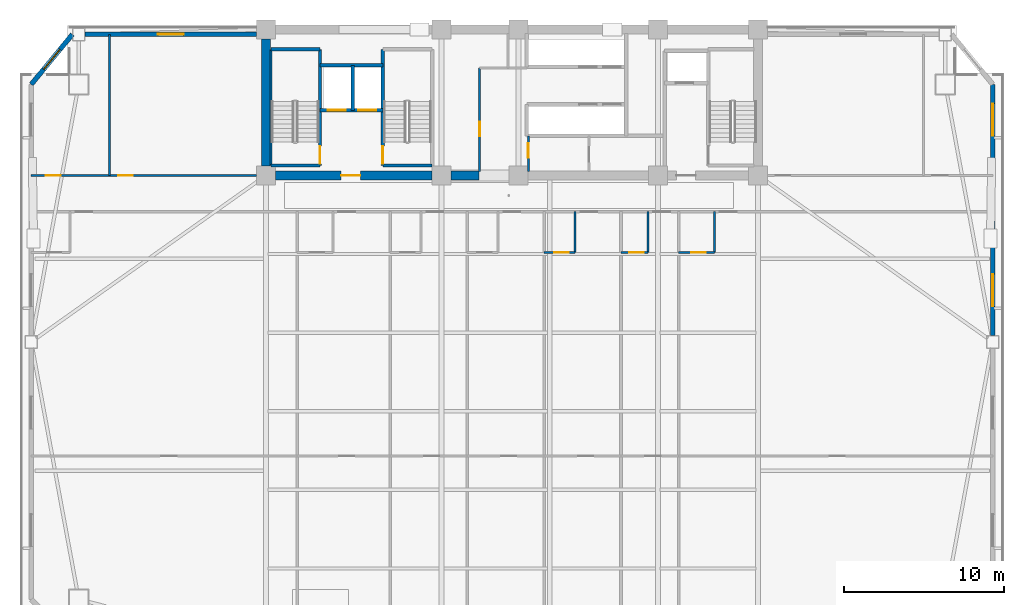
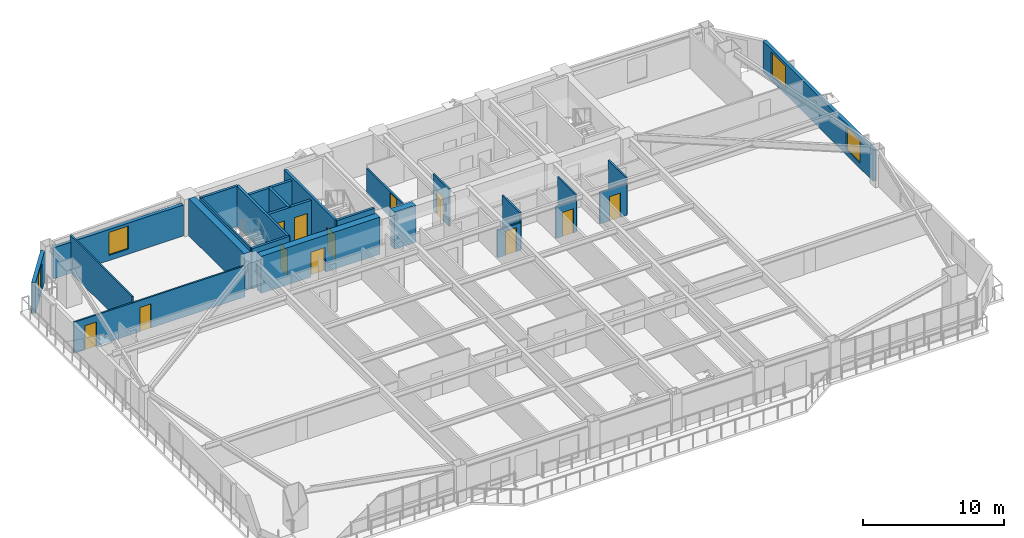
# One storey, part 9 of 17: 25 walls, 12 doors, 4 windows, 16 openings.
"""IFC4 building model written with IfcOpenShell, lengths in metres."""

from ifc_helpers import new_model, si_unit, direction, frame, frame_2d, origin, place, context, subcontext, project, spatial, rectangle, extrude, source, transform, mapped, material, layer, layer_set, type_object, element, fill, save


model = new_model("IFC4")

# Units and contexts
model_context = context("Model", 3, precision=1e-05, world=origin(), true_north=direction((0.0, 1.0)))
body_context = subcontext(model_context, "Body", "Model", "MODEL_VIEW")
ifc_project = project(units=[si_unit("LENGTHUNIT", "METRE"), si_unit("AREAUNIT", "SQUARE_METRE"), si_unit("VOLUMEUNIT", "CUBIC_METRE"), si_unit("PLANEANGLEUNIT", "RADIAN"), si_unit("MASSUNIT", "GRAM", prefix="KILO")], contexts=[model_context])

# Site, building, storey
site_placement = place(None, origin())
site = spatial("IfcSite", under=ifc_project, at=site_placement, CompositionType="ELEMENT")
building_placement = place(site_placement, origin())
building = spatial("IfcBuilding", under=site, at=building_placement, Name="Giltprow Tower", CompositionType="ELEMENT")
storey_placement = place(building_placement, frame((0.0, 0.0, 141.199951171875)))
storey = spatial("IfcBuildingStorey", under=building, at=storey_placement, Name="L34", CompositionType="ELEMENT", Elevation=141.199951171875)

# Wall, opening, window
ifc_material_1 = material(Name="Precast concrete C40", Category="concrete")
ifc_layer_1 = layer(ifc_material_1, 0.300048828125, Name="Precast concrete C40")
ifc_layer_set_1 = layer_set([ifc_layer_1], Name="Precast concrete C40")
wall_type_1 = type_object("IfcWallType", Name="EW-NOTCH-CHAMFER-300", PredefinedType="SOLIDWALL", material=ifc_layer_set_1)
wall_1_placement = place(storey_placement, frame((7.779052734375, 46.25, 0.0), z_axis=(0.0, 0.0, 1.0), x_axis=(-0.63553760815, -0.772069911748, 0.0)))
wall_1 = element("IfcWall", 1, at=wall_1_placement, inside=storey, type_object=wall_type_1, Name="L34 Corner Notch Wall NW", PredefinedType="SOLIDWALL", context=body_context, shape_type="SweptSolid", body=[
    extrude(rectangle(XDim=4.035888671875, YDim=0.300048828125, at=frame_2d((2.01806640625, 0.0))), origin(), (0.0, 0.0, 1.0), 2.699951171875),
])
opening_1_placement = place(wall_1_placement, frame((1.218017578125, 0.0, 0.449951171875)))
opening_1 = element("IfcOpeningElement", 2, at=opening_1_placement, cuts=wall_1, Name="Opening WN17", PredefinedType="OPENING", context=body_context, shape_type="SweptSolid", body=[
    extrude(rectangle(XDim=1.60009765625, YDim=2.0, at=frame_2d((0.800048828125, 1.0))), frame((0.0, 0.159912109375, 0.0), z_axis=(0.0, -1.0, 0.0), x_axis=(1.0, 0.0, 0.0)), (0.0, 0.0, 1.0), 0.320068359375),
])
ifc_material_2 = material(Name="Insulated glass", Category="glass")
window_type_1 = type_object("IfcWindowType", Name="WN-COR-1600x2000", PartitioningType="SINGLE_PANEL", PredefinedType="WINDOW", material=ifc_material_2)
shared_shape_1 = source(origin(), body_context, "Body", "SweptSolid", [
    extrude(rectangle(XDim=1.60009765625, YDim=2.0, at=frame_2d((0.800048828125, 1.0))), frame((0.0, 0.030029296875, 0.0), z_axis=(0.0, -1.0, 0.0), x_axis=(1.0, 0.0, 0.0)), (0.0, 0.0, 1.0), 0.06005859375),
])
window_1_placement = place(opening_1_placement, origin())
window_1 = element("IfcWindow", 3, at=window_1_placement, inside=storey, type_object=window_type_1, Name="L34 Corner Notch Window NW", OverallHeight=2.0, OverallWidth=1.60009765625, PartitioningType="SINGLE_PANEL", PredefinedType="WINDOW", context=body_context, shape_type="MappedRepresentation", body=[
    mapped(shared_shape_1, transform((0.0, 0.0, 0.0), x_axis=(1.0, 0.0, 0.0), y_axis=(0.0, 1.0, 0.0), z_axis=(0.0, 0.0, 1.0), scale=1.0)),
])
fill(opening_1, window_1)

# Wall, openings, windows
ifc_layer_2 = layer(ifc_material_1, 0.280029296875, Name="Precast concrete C40")
ifc_layer_set_2 = layer_set([ifc_layer_2], Name="Precast concrete C40")
wall_type_2 = type_object("IfcWallType", Name="EW-TOW-BRONZE-280", PredefinedType="SOLIDWALL", material=ifc_layer_set_2)
wall_2_placement = place(storey_placement, frame((65.18603515625, 27.471923828125, 0.0), z_axis=(0.0, 0.0, 1.0), x_axis=(0.0, 1.0, 0.0)))
wall_2 = element("IfcWall", 4, at=wall_2_placement, inside=storey, type_object=wall_type_2, Name="L34 E Wing Masonry Wall 2", PredefinedType="SOLIDWALL", context=body_context, shape_type="SweptSolid", body=[
    extrude(rectangle(XDim=15.662109375, YDim=0.280029296875, at=frame_2d((7.8310546875, 0.0))), origin(), (0.0, 0.0, 1.0), 2.699951171875),
])
opening_2_placement = place(wall_2_placement, frame((1.822998046875, 0.0, 0.449951171875)))
opening_2 = element("IfcOpeningElement", 5, at=opening_2_placement, cuts=wall_2, Name="Opening WN21", PredefinedType="OPENING", context=body_context, shape_type="SweptSolid", body=[
    extrude(rectangle(XDim=2.0, YDim=2.0, at=frame_2d((1.0, 1.0))), frame((0.0, 0.14990234375, 0.0), z_axis=(0.0, -1.0, 0.0), x_axis=(1.0, 0.0, 0.0)), (0.0, 0.0, 1.0), 0.300048828125),
])
opening_3_placement = place(wall_2_placement, frame((12.4580078125, 0.0, 0.449951171875)))
opening_3 = element("IfcOpeningElement", 6, at=opening_3_placement, cuts=wall_2, Name="Opening WN21", PredefinedType="OPENING", context=body_context, shape_type="SweptSolid", body=[
    extrude(rectangle(XDim=2.0, YDim=2.0, at=frame_2d((1.0, 1.0))), frame((0.0, 0.14990234375, 0.0), z_axis=(0.0, -1.0, 0.0), x_axis=(1.0, 0.0, 0.0)), (0.0, 0.0, 1.0), 0.300048828125),
])
window_type_2 = type_object("IfcWindowType", Name="WN-HTL-2000x2000", PartitioningType="DOUBLE_PANEL_VERTICAL", PredefinedType="WINDOW", material=ifc_material_2)
shared_shape_2 = source(origin(), body_context, "Body", "SweptSolid", [
    extrude(rectangle(XDim=2.0, YDim=2.0, at=frame_2d((1.0, 1.0))), frame((0.0, 0.030029296875, 0.0), z_axis=(0.0, -1.0, 0.0), x_axis=(1.0, 0.0, 0.0)), (0.0, 0.0, 1.0), 0.06005859375),
])
window_2_placement = place(opening_2_placement, origin())
window_2 = element("IfcWindow", 7, at=window_2_placement, inside=storey, type_object=window_type_2, Name="L34 E Wing Window 2-1", OverallHeight=2.0, OverallWidth=2.0, PartitioningType="SINGLE_PANEL", PredefinedType="WINDOW", context=body_context, shape_type="MappedRepresentation", body=[
    mapped(shared_shape_2, transform((0.0, 0.0, 0.0), x_axis=(1.0, 0.0, 0.0), y_axis=(0.0, 1.0, 0.0), z_axis=(0.0, 0.0, 1.0), scale=1.0)),
])
fill(opening_2, window_2)
window_3_placement = place(opening_3_placement, origin())
window_3 = element("IfcWindow", 8, at=window_3_placement, inside=storey, type_object=window_type_2, Name="L34 E Wing Window 2-2", OverallHeight=2.0, OverallWidth=2.0, PartitioningType="SINGLE_PANEL", PredefinedType="WINDOW", context=body_context, shape_type="MappedRepresentation", body=[
    mapped(shared_shape_2, transform((0.0, 0.0, 0.0), x_axis=(1.0, 0.0, 0.0), y_axis=(0.0, 1.0, 0.0), z_axis=(0.0, 0.0, 1.0), scale=1.0)),
])
fill(opening_3, window_3)

# Wall, opening, window
wall_3_placement = place(storey_placement, frame((8.5791015625, 46.25, 0.0), z_axis=(0.0, 0.0, 1.0), x_axis=(1.0, 0.0, 0.0)))
wall_3 = element("IfcWall", 9, at=wall_3_placement, inside=storey, type_object=wall_type_2, Name="L34 North-West Wing Wall", PredefinedType="SOLIDWALL", context=body_context, shape_type="SweptSolid", body=[
    extrude(rectangle(XDim=10.6708984375, YDim=0.280029296875, at=frame_2d((5.33544921875, 0.0))), origin(), (0.0, 0.0, 1.0), 2.699951171875),
])
opening_4_placement = place(wall_3_placement, frame((4.534912109375, 0.0, 0.449951171875)))
opening_4 = element("IfcOpeningElement", 10, at=opening_4_placement, cuts=wall_3, Name="Opening WN17", PredefinedType="OPENING", context=body_context, shape_type="SweptSolid", body=[
    extrude(rectangle(XDim=1.60009765625, YDim=2.0, at=frame_2d((0.800048828125, 1.0))), frame((0.0, 0.14990234375, 0.0), z_axis=(0.0, -1.0, 0.0), x_axis=(1.0, 0.0, 0.0)), (0.0, 0.0, 1.0), 0.300048828125),
])
window_4_placement = place(opening_4_placement, origin())
window_4 = element("IfcWindow", 11, at=window_4_placement, inside=storey, type_object=window_type_1, Name="L34 North-West Window", OverallHeight=2.0, OverallWidth=1.60009765625, PartitioningType="SINGLE_PANEL", PredefinedType="WINDOW", context=body_context, shape_type="MappedRepresentation", body=[
    mapped(shared_shape_1, transform((0.0, 0.0, 0.0), x_axis=(1.0, 0.0, 0.0), y_axis=(0.0, 1.0, 0.0), z_axis=(0.0, 0.0, 1.0), scale=1.0)),
])
fill(opening_4, window_4)

# Wall, openings, doors
ifc_material_3 = material(Name="Concrete C40", Category="concrete")
ifc_layer_3 = layer(ifc_material_3, 0.219970703125, Name="Concrete C40")
ifc_layer_set_3 = layer_set([ifc_layer_3], Name="Concrete C40")
wall_type_3 = type_object("IfcWallType", Name="IW-SHAFT-220", PredefinedType="SOLIDWALL", material=ifc_layer_set_3)
wall_4_placement = place(storey_placement, frame((23.219970703125, 41.52001953125, 0.0), z_axis=(0.0, 0.0, 1.0), x_axis=(1.0, 0.0, 0.0)))
wall_4 = element("IfcWall", 12, at=wall_4_placement, inside=storey, type_object=wall_type_3, Name="L34 FFL1 and Service Lift Front Wall", PredefinedType="SOLIDWALL", context=body_context, shape_type="SweptSolid", body=[
    extrude(rectangle(XDim=3.919921875, YDim=0.219970703125, at=frame_2d((1.9599609375, 0.0))), origin(), (0.0, 0.0, 1.0), 3.219970703125),
])
opening_5_placement = place(wall_4_placement, frame((0.5, 0.0, 0.0)))
opening_5 = element("IfcOpeningElement", 13, at=opening_5_placement, cuts=wall_4, Name="Opening LD-11", PredefinedType="OPENING", context=body_context, shape_type="SweptSolid", body=[
    extrude(rectangle(XDim=1.10009765625, YDim=2.199951171875, at=frame_2d((0.550048828125, 1.10009765625))), frame((0.0, 0.119873046875, 0.0), z_axis=(0.0, -1.0, 0.0), x_axis=(1.0, 0.0, 0.0)), (0.0, 0.0, 1.0), 0.239990234375),
])
opening_6_placement = place(wall_4_placement, frame((2.39990234375, 0.0, 0.0)))
opening_6 = element("IfcOpeningElement", 14, at=opening_6_placement, cuts=wall_4, Name="Opening LD-11", PredefinedType="OPENING", context=body_context, shape_type="SweptSolid", body=[
    extrude(rectangle(XDim=1.10009765625, YDim=2.199951171875, at=frame_2d((0.550048828125, 1.10009765625))), frame((0.0, 0.119873046875, 0.0), z_axis=(0.0, -1.0, 0.0), x_axis=(1.0, 0.0, 0.0)), (0.0, 0.0, 1.0), 0.239990234375),
])
ifc_material_4 = material(Name="Stainless steel", Category="steel")
door_type_1 = type_object("IfcDoorType", Name="DR-LIFT-LD1100", OperationType="SLIDING_TO_LEFT", PredefinedType="DOOR", material=ifc_material_4)
shared_shape_3 = source(origin(), body_context, "Body", "SweptSolid", [
    extrude(rectangle(XDim=1.10009765625, YDim=2.199951171875, at=frame_2d((0.550048828125, 1.10009765625))), frame((0.0, 0.02490234375, 0.0), z_axis=(0.0, -1.0, 0.0), x_axis=(1.0, 0.0, 0.0)), (0.0, 0.0, 1.0), 0.050048828125),
])
door_1_placement = place(opening_5_placement, origin())
door_1 = element("IfcDoor", 15, at=door_1_placement, inside=storey, type_object=door_type_1, Name="L34 FFL1 Landing Door", OperationType="SLIDING_TO_LEFT", OverallHeight=2.199951171875, OverallWidth=1.10009765625, PredefinedType="DOOR", context=body_context, shape_type="MappedRepresentation", body=[
    mapped(shared_shape_3, transform((0.0, 0.0, 0.0), x_axis=(1.0, 0.0, 0.0), y_axis=(0.0, 1.0, 0.0), z_axis=(0.0, 0.0, 1.0), scale=1.0)),
])
fill(opening_5, door_1)
door_2_placement = place(opening_6_placement, origin())
door_2 = element("IfcDoor", 16, at=door_2_placement, inside=storey, type_object=door_type_1, Name="L34 SVL1 Landing Door", OperationType="SLIDING_TO_LEFT", OverallHeight=2.199951171875, OverallWidth=1.10009765625, PredefinedType="DOOR", context=body_context, shape_type="MappedRepresentation", body=[
    mapped(shared_shape_3, transform((0.0, 0.0, 0.0), x_axis=(1.0, 0.0, 0.0), y_axis=(0.0, 1.0, 0.0), z_axis=(0.0, 0.0, 1.0), scale=1.0)),
])
fill(opening_6, door_2)

# Walls
wall_5_placement = place(storey_placement, frame((25.260009765625, 41.52001953125, 0.0), z_axis=(0.0, 0.0, 1.0), x_axis=(0.0, 1.0, 0.0)))
element("IfcWall", 17, at=wall_5_placement, inside=storey, type_object=wall_type_3, Name="L34 FFL1-SVL1 Shaft Divider", PredefinedType="SOLIDWALL", context=body_context, shape_type="SweptSolid", body=[
    extrude(rectangle(XDim=2.800048828125, YDim=0.219970703125, at=frame_2d((1.39990234375, 0.0))), origin(), (0.0, 0.0, 1.0), 3.219970703125),
])
wall_6_placement = place(storey_placement, frame((23.219970703125, 44.320068359375, 0.0), z_axis=(0.0, 0.0, 1.0), x_axis=(1.0, 0.0, 0.0)))
element("IfcWall", 18, at=wall_6_placement, inside=storey, type_object=wall_type_3, Name="L34 FFL1-SVL1 Back Shaft Wall", PredefinedType="SOLIDWALL", context=body_context, shape_type="SweptSolid", body=[
    extrude(rectangle(XDim=3.919921875, YDim=0.219970703125, at=frame_2d((1.9599609375, 0.0))), origin(), (0.0, 0.0, 1.0), 3.219970703125),
])
ifc_material_5 = material(Name="Concrete C45", Category="concrete")
ifc_layer_4 = layer(ifc_material_5, 0.139892578125, Name="Concrete C45")
ifc_layer_set_4 = layer_set([ifc_layer_4], Name="Concrete C45")
wall_type_4 = type_object("IfcWallType", Name="IW-STAIR-140", PredefinedType="SOLIDWALL", material=ifc_layer_set_4)
wall_7_placement = place(storey_placement, frame((20.169921875, 38.070068359375, 0.0), z_axis=(0.0, 0.0, 1.0), x_axis=(0.0, 1.0, 0.0)))
element("IfcWall", 19, at=wall_7_placement, inside=storey, type_object=wall_type_4, Name="L34 Stair ST-1 West Bearing Wall", PredefinedType="SOLIDWALL", context=body_context, shape_type="SweptSolid", body=[
    extrude(rectangle(XDim=7.25, YDim=0.139892578125, at=frame_2d((3.625, 0.0))), origin(), (0.0, 0.0, 1.0), 3.5),
])

# Wall, opening, door
ifc_layer_5 = layer(ifc_material_3, 0.199951171875, Name="Concrete C40")
ifc_layer_set_5 = layer_set([ifc_layer_5], Name="Concrete C40")
wall_type_5 = type_object("IfcWallType", Name="IW-STAIR-200", PredefinedType="SOLIDWALL", material=ifc_layer_set_5)
wall_8_placement = place(storey_placement, frame((23.219970703125, 38.070068359375, 0.0), z_axis=(0.0, 0.0, 1.0), x_axis=(0.0, 1.0, 0.0)))
wall_8 = element("IfcWall", 20, at=wall_8_placement, inside=storey, type_object=wall_type_5, Name="L34 Stair ST-1 East Bearing Wall", PredefinedType="SOLIDWALL", context=body_context, shape_type="SweptSolid", body=[
    extrude(rectangle(XDim=7.25, YDim=0.199951171875, at=frame_2d((3.625, 0.0))), origin(), (0.0, 0.0, 1.0), 3.5),
])
opening_7_placement = place(wall_8_placement, frame((0.110107421875, 0.0, 0.0)))
opening_7 = element("IfcOpeningElement", 21, at=opening_7_placement, cuts=wall_8, Name="Opening ID33", PredefinedType="OPENING", context=body_context, shape_type="SweptSolid", body=[
    extrude(rectangle(XDim=1.10009765625, YDim=2.14990234375, at=frame_2d((0.550048828125, 1.074951171875))), frame((0.0, 0.10986328125, 0.0), z_axis=(0.0, -1.0, 0.0), x_axis=(1.0, 0.0, 0.0)), (0.0, 0.0, 1.0), 0.219970703125),
])
ifc_material_6 = material(Name="Steel fire leaf", Category="steel")
door_type_2 = type_object("IfcDoorType", Name="DR-STAIR-1100", OperationType="SINGLE_SWING_LEFT", PredefinedType="DOOR", material=ifc_material_6)
shared_shape_4 = source(origin(), body_context, "Body", "SweptSolid", [
    extrude(rectangle(XDim=1.10009765625, YDim=2.14990234375, at=frame_2d((0.550048828125, 1.074951171875))), frame((0.0, 0.02490234375, 0.0), z_axis=(0.0, -1.0, 0.0), x_axis=(1.0, 0.0, 0.0)), (0.0, 0.0, 1.0), 0.050048828125),
])
door_3_placement = place(opening_7_placement, origin())
door_3 = element("IfcDoor", 22, at=door_3_placement, inside=storey, type_object=door_type_2, Name="L34 Stair ST-1 Fire Door", OperationType="SINGLE_SWING_LEFT", OverallHeight=2.14990234375, OverallWidth=1.10009765625, PredefinedType="DOOR", context=body_context, shape_type="MappedRepresentation", body=[
    mapped(shared_shape_4, transform((0.0, 0.0, 0.0), x_axis=(1.0, 0.0, 0.0), y_axis=(0.0, 1.0, 0.0), z_axis=(0.0, 0.0, 1.0), scale=1.0)),
])
fill(opening_7, door_3)

# Walls
for number, where, z_axis, x_axis, name in (
    (23, (20.169921875, 45.320068359375, 0.0), (0.0, 0.0, 1.0), (1.0, 0.0, 0.0), "L34 Stair ST-1 North Bearing Wall"),
    (24, (20.169921875, 38.070068359375, 0.0), (0.0, 0.0, 1.0), (1.0, 0.0, 0.0), "L34 Stair ST-1 South Bearing Wall"),
):
    element("IfcWall", number, at=place(storey_placement, frame(where, z_axis=z_axis, x_axis=x_axis)), inside=storey, type_object=wall_type_5, Name=name, PredefinedType="SOLIDWALL", context=body_context, shape_type="SweptSolid", body=[
        extrude(rectangle(XDim=3.050048828125, YDim=0.199951171875, at=frame_2d((1.52490234375, 0.0))), origin(), (0.0, 0.0, 1.0), 3.5),
    ])

# Wall, opening, door
wall_9_placement = place(storey_placement, frame((27.139892578125, 38.070068359375, 0.0), z_axis=(0.0, 0.0, 1.0), x_axis=(0.0, 1.0, 0.0)))
wall_9 = element("IfcWall", 25, at=wall_9_placement, inside=storey, type_object=wall_type_5, Name="L34 Stair ST-2 West Bearing Wall", PredefinedType="SOLIDWALL", context=body_context, shape_type="SweptSolid", body=[
    extrude(rectangle(XDim=7.25, YDim=0.199951171875, at=frame_2d((3.625, 0.0))), origin(), (0.0, 0.0, 1.0), 3.5),
])
opening_8_placement = place(wall_9_placement, frame((0.110107421875, 0.0, 0.0)))
opening_8 = element("IfcOpeningElement", 26, at=opening_8_placement, cuts=wall_9, Name="Opening ID33", PredefinedType="OPENING", context=body_context, shape_type="SweptSolid", body=[
    extrude(rectangle(XDim=1.10009765625, YDim=2.14990234375, at=frame_2d((0.550048828125, 1.074951171875))), frame((0.0, 0.10986328125, 0.0), z_axis=(0.0, -1.0, 0.0), x_axis=(1.0, 0.0, 0.0)), (0.0, 0.0, 1.0), 0.219970703125),
])
door_4_placement = place(opening_8_placement, origin())
door_4 = element("IfcDoor", 27, at=door_4_placement, inside=storey, type_object=door_type_2, Name="L34 Stair ST-2 Fire Door", OperationType="SINGLE_SWING_RIGHT", OverallHeight=2.14990234375, OverallWidth=1.10009765625, PredefinedType="DOOR", context=body_context, shape_type="MappedRepresentation", body=[
    mapped(shared_shape_4, transform((0.0, 0.0, 0.0), x_axis=(1.0, 0.0, 0.0), y_axis=(0.0, 1.0, 0.0), z_axis=(0.0, 0.0, 1.0), scale=1.0)),
])
fill(opening_8, door_4)

# Wall
wall_10_placement = place(storey_placement, frame((27.139892578125, 38.070068359375, 0.0), z_axis=(0.0, 0.0, 1.0), x_axis=(1.0, 0.0, 0.0)))
element("IfcWall", 28, at=wall_10_placement, inside=storey, type_object=wall_type_5, Name="L34 Stair ST-2 South Bearing Wall", PredefinedType="SOLIDWALL", context=body_context, shape_type="SweptSolid", body=[
    extrude(rectangle(XDim=3.080078125, YDim=0.199951171875, at=frame_2d((1.5400390625, 0.0))), origin(), (0.0, 0.0, 1.0), 3.5),
])

# Wall, opening, door
ifc_material_7 = material(Name="Concrete C30", Category="concrete")
ifc_layer_6 = layer(ifc_material_7, 0.1298828125, Name="Concrete C30")
ifc_layer_set_6 = layer_set([ifc_layer_6], Name="Concrete C30")
wall_type_6 = type_object("IfcWallType", Name="IW-WET-130", PredefinedType="PARTITIONING", material=ifc_layer_set_6)
wall_11_placement = place(storey_placement, frame((33.179931640625, 37.705078125, 0.0), z_axis=(0.0, 0.0, 1.0), x_axis=(0.0, 1.0, 0.0)))
wall_11 = element("IfcWall", 29, at=wall_11_placement, inside=storey, type_object=wall_type_6, Name="L34 Reclaimed Core Room East Wall", PredefinedType="PARTITIONING", context=body_context, shape_type="SweptSolid", body=[
    extrude(rectangle(XDim=6.44482421875, YDim=0.1298828125, at=frame_2d((3.222412109375, 0.0))), origin(), (0.0, 0.0, 1.0), 2.219970703125),
])
opening_9_placement = place(wall_11_placement, frame((2.195068359375, 0.0, 0.0)))
opening_9 = element("IfcOpeningElement", 30, at=opening_9_placement, cuts=wall_11, Name="Opening ID35", PredefinedType="OPENING", context=body_context, shape_type="SweptSolid", body=[
    extrude(rectangle(XDim=0.89990234375, YDim=2.10009765625, at=frame_2d((0.449951171875, 1.050048828125))), frame((0.0, 0.074951171875, 0.0), z_axis=(0.0, -1.0, 0.0), x_axis=(1.0, 0.0, 0.0)), (0.0, 0.0, 1.0), 0.14990234375),
])
door_type_3 = type_object("IfcDoorType", Name="DR-SHAFT-900", OperationType="SINGLE_SWING_LEFT", PredefinedType="DOOR", material=ifc_material_6)
shared_shape_5 = source(origin(), body_context, "Body", "SweptSolid", [
    extrude(rectangle(XDim=0.89990234375, YDim=2.10009765625, at=frame_2d((0.449951171875, 1.050048828125))), frame((0.0, 0.02490234375, 0.0), z_axis=(0.0, -1.0, 0.0), x_axis=(1.0, 0.0, 0.0)), (0.0, 0.0, 1.0), 0.050048828125),
])
door_5_placement = place(opening_9_placement, origin())
door_5 = element("IfcDoor", 31, at=door_5_placement, inside=storey, type_object=door_type_3, Name="L34 Housekeeping and Linen Suite Door", OperationType="SINGLE_SWING_RIGHT", OverallHeight=2.10009765625, OverallWidth=0.89990234375, PredefinedType="DOOR", context=body_context, shape_type="MappedRepresentation", body=[
    mapped(shared_shape_5, transform((0.0, 0.0, 0.0), x_axis=(1.0, 0.0, 0.0), y_axis=(0.0, 1.0, 0.0), z_axis=(0.0, 0.0, 1.0), scale=1.0)),
])
fill(opening_9, door_5)

wall_12_placement = place(storey_placement, frame((36.219970703125, 37.705078125, 0.0), z_axis=(0.0, 0.0, 1.0), x_axis=(0.0, 1.0, 0.0)))
wall_12 = element("IfcWall", 32, at=wall_12_placement, inside=storey, type_object=wall_type_6, Name="L34 Core Valet West Wall", PredefinedType="PARTITIONING", context=body_context, shape_type="SweptSolid", body=[
    extrude(rectangle(XDim=2.21484375, YDim=0.1298828125, at=frame_2d((1.107421875, 0.0))), origin(), (0.0, 0.0, 1.0), 3.219970703125),
])
opening_10_placement = place(wall_12_placement, frame((0.85498046875, 0.0, 0.0)))
opening_10 = element("IfcOpeningElement", 33, at=opening_10_placement, cuts=wall_12, Name="Opening ID35", PredefinedType="OPENING", context=body_context, shape_type="SweptSolid", body=[
    extrude(rectangle(XDim=0.89990234375, YDim=2.10009765625, at=frame_2d((0.449951171875, 1.050048828125))), frame((0.0, 0.074951171875, 0.0), z_axis=(0.0, -1.0, 0.0), x_axis=(1.0, 0.0, 0.0)), (0.0, 0.0, 1.0), 0.14990234375),
])
door_6_placement = place(opening_10_placement, origin())
door_6 = element("IfcDoor", 34, at=door_6_placement, inside=storey, type_object=door_type_3, Name="L34 Core Staff WC Door", OperationType="SINGLE_SWING_RIGHT", OverallHeight=2.10009765625, OverallWidth=0.89990234375, PredefinedType="DOOR", context=body_context, shape_type="MappedRepresentation", body=[
    mapped(shared_shape_5, transform((0.0, 0.0, 0.0), x_axis=(1.0, 0.0, 0.0), y_axis=(0.0, 1.0, 0.0), z_axis=(0.0, 0.0, 1.0), scale=1.0)),
])
fill(opening_10, door_6)

wall_13_placement = place(storey_placement, frame((37.199951171875, 32.64990234375, 0.0), z_axis=(0.0, 0.0, 1.0), x_axis=(1.0, 0.0, 0.0)))
wall_13 = element("IfcWall", 35, at=wall_13_placement, inside=storey, type_object=wall_type_6, Name="L34 En-Suite South Wall 5", PredefinedType="PARTITIONING", context=body_context, shape_type="SweptSolid", body=[
    extrude(rectangle(XDim=1.93603515625, YDim=0.1298828125, at=frame_2d((0.968017578125, 0.0))), origin(), (0.0, 0.0, 1.0), 2.405029296875),
])
opening_11_placement = place(wall_13_placement, frame((0.637939453125, 0.0, 0.0)))
opening_11 = element("IfcOpeningElement", 36, at=opening_11_placement, cuts=wall_13, Name="Opening ID15", PredefinedType="OPENING", context=body_context, shape_type="SweptSolid", body=[
    extrude(rectangle(XDim=0.89990234375, YDim=2.10009765625, at=frame_2d((0.449951171875, 1.050048828125))), frame((0.0, 0.074951171875, 0.0), z_axis=(0.0, -1.0, 0.0), x_axis=(1.0, 0.0, 0.0)), (0.0, 0.0, 1.0), 0.14990234375),
])
ifc_material_8 = material(Name="Engineered timber", Category="wood")
door_type_4 = type_object("IfcDoorType", Name="DR-WC-900", OperationType="SINGLE_SWING_LEFT", PredefinedType="DOOR", material=ifc_material_8)
door_7_placement = place(opening_11_placement, origin())
door_7 = element("IfcDoor", 37, at=door_7_placement, inside=storey, type_object=door_type_4, Name="L34 En-Suite 5 Door", OperationType="SINGLE_SWING_RIGHT", OverallHeight=2.10009765625, OverallWidth=0.89990234375, PredefinedType="DOOR", context=body_context, shape_type="MappedRepresentation", body=[
    mapped(shared_shape_5, transform((0.0, 0.0, 0.0), x_axis=(1.0, 0.0, 0.0), y_axis=(0.0, 1.0, 0.0), z_axis=(0.0, 0.0, 1.0), scale=1.0)),
])
fill(opening_11, door_7)

# Wall
wall_14_placement = place(storey_placement, frame((39.135986328125, 32.64990234375, 0.0), z_axis=(0.0, 0.0, 1.0), x_axis=(0.0, 1.0, 0.0)))
element("IfcWall", 38, at=wall_14_placement, inside=storey, type_object=wall_type_6, Name="L34 En-Suite East Wall 5", PredefinedType="PARTITIONING", context=body_context, shape_type="SweptSolid", body=[
    extrude(rectangle(XDim=2.550048828125, YDim=0.1298828125, at=frame_2d((1.27490234375, 0.0))), origin(), (0.0, 0.0, 1.0), 3.219970703125),
])

# Wall, opening, door
wall_15_placement = place(storey_placement, frame((42.0, 32.64990234375, 0.0), z_axis=(0.0, 0.0, 1.0), x_axis=(1.0, 0.0, 0.0)))
wall_15 = element("IfcWall", 39, at=wall_15_placement, inside=storey, type_object=wall_type_6, Name="L34 En-Suite South Wall 6", PredefinedType="PARTITIONING", context=body_context, shape_type="SweptSolid", body=[
    extrude(rectangle(XDim=1.679931640625, YDim=0.1298828125, at=frame_2d((0.83984375, 0.0))), origin(), (0.0, 0.0, 1.0), 2.755126953125),
])
opening_12_placement = place(wall_15_placement, frame((0.510009765625, 0.0, 0.0)))
opening_12 = element("IfcOpeningElement", 40, at=opening_12_placement, cuts=wall_15, Name="Opening ID15", PredefinedType="OPENING", context=body_context, shape_type="SweptSolid", body=[
    extrude(rectangle(XDim=0.89990234375, YDim=2.10009765625, at=frame_2d((0.449951171875, 1.050048828125))), frame((0.0, 0.074951171875, 0.0), z_axis=(0.0, -1.0, 0.0), x_axis=(1.0, 0.0, 0.0)), (0.0, 0.0, 1.0), 0.14990234375),
])
door_8_placement = place(opening_12_placement, origin())
door_8 = element("IfcDoor", 41, at=door_8_placement, inside=storey, type_object=door_type_4, Name="L34 En-Suite 6 Door", OperationType="SINGLE_SWING_LEFT", OverallHeight=2.10009765625, OverallWidth=0.89990234375, PredefinedType="DOOR", context=body_context, shape_type="MappedRepresentation", body=[
    mapped(shared_shape_5, transform((0.0, 0.0, 0.0), x_axis=(1.0, 0.0, 0.0), y_axis=(0.0, 1.0, 0.0), z_axis=(0.0, 0.0, 1.0), scale=1.0)),
])
fill(opening_12, door_8)

# Wall
wall_16_placement = place(storey_placement, frame((43.679931640625, 32.64990234375, 0.0), z_axis=(0.0, 0.0, 1.0), x_axis=(0.0, 1.0, 0.0)))
element("IfcWall", 42, at=wall_16_placement, inside=storey, type_object=wall_type_6, Name="L34 En-Suite East Wall 6", PredefinedType="PARTITIONING", context=body_context, shape_type="SweptSolid", body=[
    extrude(rectangle(XDim=2.550048828125, YDim=0.1298828125, at=frame_2d((1.27490234375, 0.0))), origin(), (0.0, 0.0, 1.0), 3.219970703125),
])

# Wall, opening, door
wall_17_placement = place(storey_placement, frame((45.60009765625, 32.64990234375, 0.0), z_axis=(0.0, 0.0, 1.0), x_axis=(1.0, 0.0, 0.0)))
wall_17 = element("IfcWall", 43, at=wall_17_placement, inside=storey, type_object=wall_type_6, Name="L34 En-Suite South Wall 7", PredefinedType="PARTITIONING", context=body_context, shape_type="SweptSolid", body=[
    extrude(rectangle(XDim=2.22998046875, YDim=0.1298828125, at=frame_2d((1.114990234375, 0.0))), origin(), (0.0, 0.0, 1.0), 2.755126953125),
])
opening_13_placement = place(wall_17_placement, frame((0.784912109375, 0.0, 0.0)))
opening_13 = element("IfcOpeningElement", 44, at=opening_13_placement, cuts=wall_17, Name="Opening ID15", PredefinedType="OPENING", context=body_context, shape_type="SweptSolid", body=[
    extrude(rectangle(XDim=0.89990234375, YDim=2.10009765625, at=frame_2d((0.449951171875, 1.050048828125))), frame((0.0, 0.074951171875, 0.0), z_axis=(0.0, -1.0, 0.0), x_axis=(1.0, 0.0, 0.0)), (0.0, 0.0, 1.0), 0.14990234375),
])
door_9_placement = place(opening_13_placement, origin())
door_9 = element("IfcDoor", 45, at=door_9_placement, inside=storey, type_object=door_type_4, Name="L34 En-Suite 7 Door", OperationType="SINGLE_SWING_RIGHT", OverallHeight=2.10009765625, OverallWidth=0.89990234375, PredefinedType="DOOR", context=body_context, shape_type="MappedRepresentation", body=[
    mapped(shared_shape_5, transform((0.0, 0.0, 0.0), x_axis=(1.0, 0.0, 0.0), y_axis=(0.0, 1.0, 0.0), z_axis=(0.0, 0.0, 1.0), scale=1.0)),
])
fill(opening_13, door_9)

# Wall
wall_18_placement = place(storey_placement, frame((47.830078125, 32.64990234375, 0.0), z_axis=(0.0, 0.0, 1.0), x_axis=(0.0, 1.0, 0.0)))
element("IfcWall", 46, at=wall_18_placement, inside=storey, type_object=wall_type_6, Name="L34 En-Suite East Wall 7", PredefinedType="PARTITIONING", context=body_context, shape_type="SweptSolid", body=[
    extrude(rectangle(XDim=2.550048828125, YDim=0.1298828125, at=frame_2d((1.27490234375, 0.0))), origin(), (0.0, 0.0, 1.0), 3.219970703125),
])

# Wall, openings, doors
wall_19_placement = place(storey_placement, frame((5.214111328125, 37.449951171875, 0.0), z_axis=(0.0, 0.0, 1.0), x_axis=(1.0, 0.0, 0.0)))
wall_19 = element("IfcWall", 47, at=wall_19_placement, inside=storey, type_object=wall_type_6, Name="L34 NW Wing South Wall", PredefinedType="PARTITIONING", context=body_context, shape_type="SweptSolid", body=[
    extrude(rectangle(XDim=14.035888671875, YDim=0.1298828125, at=frame_2d((7.01806640625, 0.0))), origin(), (0.0, 0.0, 1.0), 2.705078125),
])
opening_14_placement = place(wall_19_placement, frame((0.89990234375, 0.0, 0.0)))
opening_14 = element("IfcOpeningElement", 48, at=opening_14_placement, cuts=wall_19, Name="Opening ID11", PredefinedType="OPENING", context=body_context, shape_type="SweptSolid", body=[
    extrude(rectangle(XDim=0.949951171875, YDim=2.10009765625, at=frame_2d((0.47509765625, 1.050048828125))), frame((0.0, 0.074951171875, 0.0), z_axis=(0.0, -1.0, 0.0), x_axis=(1.0, 0.0, 0.0)), (0.0, 0.0, 1.0), 0.14990234375),
])
opening_15_placement = place(wall_19_placement, frame((5.419921875, 0.0, 0.0)))
opening_15 = element("IfcOpeningElement", 49, at=opening_15_placement, cuts=wall_19, Name="Opening ID15", PredefinedType="OPENING", context=body_context, shape_type="SweptSolid", body=[
    extrude(rectangle(XDim=0.89990234375, YDim=2.10009765625, at=frame_2d((0.449951171875, 1.050048828125))), frame((0.0, 0.074951171875, 0.0), z_axis=(0.0, -1.0, 0.0), x_axis=(1.0, 0.0, 0.0)), (0.0, 0.0, 1.0), 0.14990234375),
])
door_10_placement = place(opening_15_placement, origin())
door_10 = element("IfcDoor", 50, at=door_10_placement, inside=storey, type_object=door_type_4, Name="L34 NW Washroom Door", OperationType="SINGLE_SWING_LEFT", OverallHeight=2.10009765625, OverallWidth=0.89990234375, PredefinedType="DOOR", context=body_context, shape_type="MappedRepresentation", body=[
    mapped(shared_shape_5, transform((0.0, 0.0, 0.0), x_axis=(1.0, 0.0, 0.0), y_axis=(0.0, 1.0, 0.0), z_axis=(0.0, 0.0, 1.0), scale=1.0)),
])
fill(opening_15, door_10)
door_type_5 = type_object("IfcDoorType", Name="DR-ROOM-950", OperationType="SINGLE_SWING_RIGHT", PredefinedType="DOOR", material=ifc_material_8)
shared_shape_6 = source(origin(), body_context, "Body", "SweptSolid", [
    extrude(rectangle(XDim=0.949951171875, YDim=2.10009765625, at=frame_2d((0.47509765625, 1.050048828125))), frame((0.0, 0.02490234375, 0.0), z_axis=(0.0, -1.0, 0.0), x_axis=(1.0, 0.0, 0.0)), (0.0, 0.0, 1.0), 0.050048828125),
])
door_11_placement = place(opening_14_placement, origin())
door_11 = element("IfcDoor", 51, at=door_11_placement, inside=storey, type_object=door_type_5, Name="L34 Hotel Floor Butler Office West Door", OperationType="SINGLE_SWING_RIGHT", OverallHeight=2.10009765625, OverallWidth=0.949951171875, PredefinedType="DOOR", context=body_context, shape_type="MappedRepresentation", body=[
    mapped(shared_shape_6, transform((0.0, 0.0, 0.0), x_axis=(1.0, 0.0, 0.0), y_axis=(0.0, 1.0, 0.0), z_axis=(0.0, 0.0, 1.0), scale=1.0)),
])
fill(opening_14, door_11)

# Wall
wall_20_placement = place(storey_placement, frame((10.083984375, 37.449951171875, 0.0), z_axis=(0.0, 0.0, 1.0), x_axis=(0.0, 1.0, 0.0)))
element("IfcWall", 52, at=wall_20_placement, inside=storey, type_object=wall_type_6, Name="L34 NW Wing Divider", PredefinedType="PARTITIONING", context=body_context, shape_type="SweptSolid", body=[
    extrude(rectangle(XDim=8.800048828125, YDim=0.1298828125, at=frame_2d((4.39990234375, 0.0))), origin(), (0.0, 0.0, 1.0), 3.219970703125),
])

# Wall, opening, door
ifc_material_9 = material(Name="Concrete C60", Category="concrete")
ifc_layer_7 = layer(ifc_material_9, 0.550048828125, Name="Concrete C60")
ifc_layer_set_7 = layer_set([ifc_layer_7], Name="Concrete C60")
wall_type_7 = type_object("IfcWallType", Name="SW-INT-550-C60", PredefinedType="SHEAR", material=ifc_layer_set_7)
wall_21_placement = place(storey_placement, frame((20.449951171875, 37.449951171875, 0.0), z_axis=(0.0, 0.0, 1.0), x_axis=(1.0, 0.0, 0.0)))
wall_21 = element("IfcWall", 53, at=wall_21_placement, inside=storey, type_object=wall_type_7, Name="L34 South Rear Core Shear Wall West", PredefinedType="SHEAR", context=body_context, shape_type="SweptSolid", body=[
    extrude(rectangle(XDim=9.75, YDim=0.550048828125, at=frame_2d((4.875, 0.0))), origin(), (0.0, 0.0, 1.0), 3.219970703125),
])
opening_16_placement = place(wall_21_placement, frame((4.10009765625, 0.0, 0.0)))
opening_16 = element("IfcOpeningElement", 54, at=opening_16_placement, cuts=wall_21, Name="Opening ID19", PredefinedType="OPENING", context=body_context, shape_type="SweptSolid", body=[
    extrude(rectangle(XDim=1.199951171875, YDim=2.14990234375, at=frame_2d((0.60009765625, 1.074951171875))), frame((0.0, 0.284912109375, 0.0), z_axis=(0.0, -1.0, 0.0), x_axis=(1.0, 0.0, 0.0)), (0.0, 0.0, 1.0), 0.570068359375),
])
door_type_6 = type_object("IfcDoorType", Name="DR-FFLOBBY-1200", OperationType="SINGLE_SWING_RIGHT", PredefinedType="DOOR", material=ifc_material_6)
shared_shape_7 = source(origin(), body_context, "Body", "SweptSolid", [
    extrude(rectangle(XDim=1.199951171875, YDim=2.14990234375, at=frame_2d((0.60009765625, 1.074951171875))), frame((0.0, 0.02490234375, 0.0), z_axis=(0.0, -1.0, 0.0), x_axis=(1.0, 0.0, 0.0)), (0.0, 0.0, 1.0), 0.050048828125),
])
door_12_placement = place(opening_16_placement, origin())
door_12 = element("IfcDoor", 55, at=door_12_placement, inside=storey, type_object=door_type_6, Name="L34 West Firefighting Lobby Entry Door", OperationType="SINGLE_SWING_RIGHT", OverallHeight=2.14990234375, OverallWidth=1.199951171875, PredefinedType="DOOR", context=body_context, shape_type="MappedRepresentation", body=[
    mapped(shared_shape_7, transform((0.0, 0.0, 0.0), x_axis=(1.0, 0.0, 0.0), y_axis=(0.0, 1.0, 0.0), z_axis=(0.0, 0.0, 1.0), scale=1.0)),
])
fill(opening_16, door_12)

# Walls
wall_22_placement = place(storey_placement, frame((31.39990234375, 37.449951171875, 0.0), z_axis=(0.0, 0.0, 1.0), x_axis=(1.0, 0.0, 0.0)))
element("IfcWall", 56, at=wall_22_placement, inside=storey, type_object=wall_type_7, Name="L34 South Rear Core Shear Wall Mid-West", PredefinedType="SHEAR", context=body_context, shape_type="SweptSolid", body=[
    extrude(rectangle(XDim=1.75, YDim=0.550048828125, at=frame_2d((0.875, 0.0))), origin(), (0.0, 0.0, 1.0), 3.219970703125),
])
wall_23_placement = place(storey_placement, frame((19.85009765625, 38.050048828125, 0.0), z_axis=(0.0, 0.0, 1.0), x_axis=(0.0, 1.0, 0.0)))
element("IfcWall", 57, at=wall_23_placement, inside=storey, type_object=wall_type_7, Name="L34 W Rear Core Shear Wall", PredefinedType="SHEAR", context=body_context, shape_type="SweptSolid", body=[
    extrude(rectangle(XDim=7.89990234375, YDim=0.550048828125, at=frame_2d((3.949951171875, 0.0))), origin(), (0.0, 0.0, 1.0), 3.219970703125),
])

save(model, "model.ifc")
